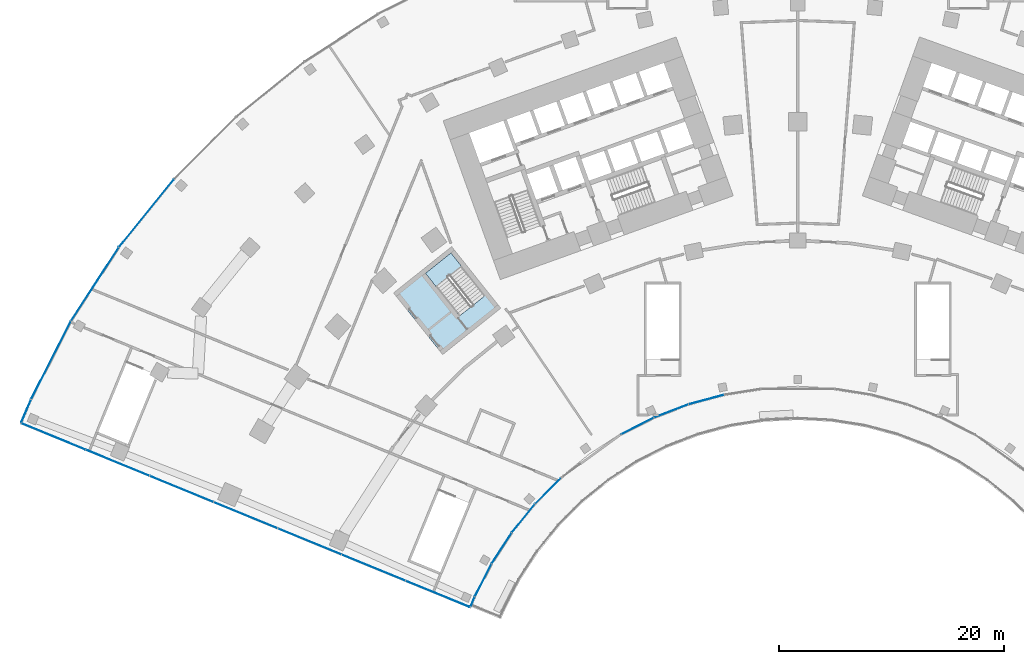
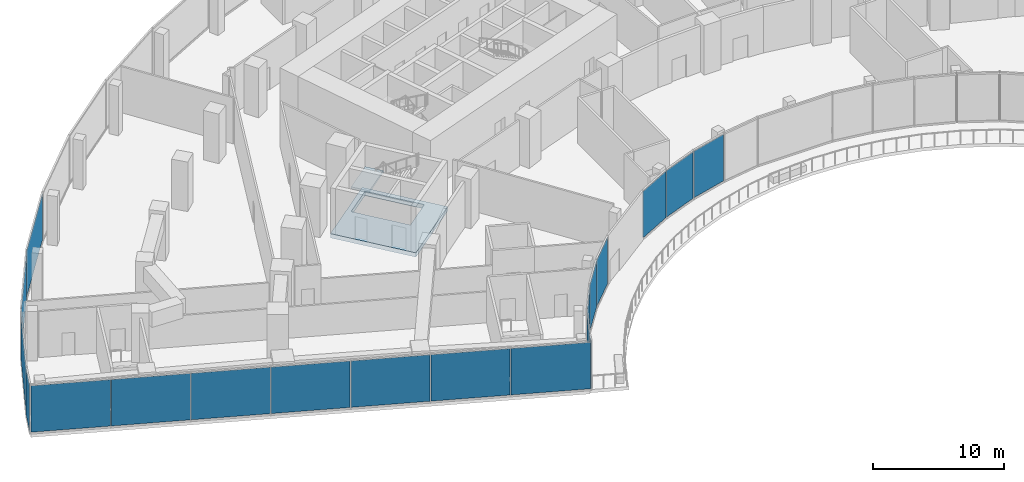
# One storey, part 18 of 33: 19 plates, 2 slabs, 4 elements without a shape of their own.
"""IFC4 building model written with IfcOpenShell, lengths in metres."""

from ifc_helpers import new_model, si_unit, direction, frame, origin, origin_2d, place, context, subcontext, project, spatial, polyline, rectangle, outline, extrude, material, layer, layer_set, type_object, element, aggregate, save


model = new_model("IFC4")

# Units and contexts
model_context = context("Model", 3, precision=1e-05, world=origin(), true_north=direction((0.0, 1.0)))
body_context = subcontext(model_context, "Body", "Model", "MODEL_VIEW")
ifc_project = project(units=[si_unit("LENGTHUNIT", "METRE"), si_unit("AREAUNIT", "SQUARE_METRE"), si_unit("VOLUMEUNIT", "CUBIC_METRE"), si_unit("PLANEANGLEUNIT", "RADIAN"), si_unit("MASSUNIT", "GRAM", prefix="KILO")], contexts=[model_context])

# Site, building, storey
site_placement = place(None, origin())
site = spatial("IfcSite", under=ifc_project, at=site_placement, CompositionType="ELEMENT")
building_placement = place(site_placement, origin())
building = spatial("IfcBuilding", under=site, at=building_placement, Name="Stone Belt Terrace Tower", CompositionType="ELEMENT")
storey_placement = place(building_placement, frame((0.0, 0.0, 25.39990234375)))
storey = spatial("IfcBuildingStorey", under=building, at=storey_placement, Name="L05", CompositionType="ELEMENT", Elevation=25.39990234375)

# Curtain wall, plates
ifc_material_1 = material(Name="Aluminium 6063-T6 anodised frame", Category="aluminium")
ifc_layer_1 = layer(ifc_material_1, 0.14990234375)
ifc_layer_set_1 = layer_set([ifc_layer_1], Name="CW-D podium shopfront")
curtain_wall_type = type_object("IfcCurtainWallType", Name="CW-D podium shopfront", PredefinedType="NOTDEFINED", material=ifc_layer_set_1)
curtain_wall_1_placement = place(storey_placement, origin())
curtain_wall_1 = element("IfcCurtainWall", 1, at=curtain_wall_1_placement, inside=storey, type_object=curtain_wall_type, Name="CW-D concave face L05", PredefinedType="NOTDEFINED")
ifc_material_2 = material(Name="Clear double glazed unit")
ifc_layer_2 = layer(ifc_material_2, 0.031982421875)
ifc_layer_set_2 = layer_set([ifc_layer_2], Name="CW-D glass panel 32")
plate_type = type_object("IfcPlateType", Name="CW-D glass panel 32", PredefinedType="CURTAIN_PANEL", material=ifc_layer_set_2)
plate_1_placement = place(storey_placement, frame((-28.899658203125, 12.333740234375, 0.14013671875), z_axis=(0.0, 0.0, 1.0), x_axis=(0.393033792222, 0.919524028056, 0.0)))
plate_1 = element("IfcPlate", 2, at=plate_1_placement, type_object=plate_type, Name="CW-D panel 1.1", PredefinedType="CURTAIN_PANEL", context=body_context, shape_type="SweptSolid", body=[
    extrude(rectangle(XDim=0.90673828125, YDim=0.031982421875, at=origin_2d()), origin(), (0.0, 0.0, 1.0), 4.320068359375),
])
plate_2_placement = place(storey_placement, frame((-27.962158203125, 14.245849609375, 0.14013671875), z_axis=(0.0, 0.0, 1.0), x_axis=(0.45399049974, 0.891006524188, 0.0)))
plate_2 = element("IfcPlate", 3, at=plate_2_placement, type_object=plate_type, Name="CW-D panel 2.1", PredefinedType="CURTAIN_PANEL", context=body_context, shape_type="SweptSolid", body=[
    extrude(rectangle(XDim=3.224365234375, YDim=0.031982421875, at=origin_2d()), origin(), (0.0, 0.0, 1.0), 4.320068359375),
])
plate_3_placement = place(storey_placement, frame((-26.319091796875, 17.091796875, 0.14013671875), z_axis=(0.0, 0.0, 1.0), x_axis=(0.544639035015, 0.838670567945, 0.0)))
plate_3 = element("IfcPlate", 4, at=plate_3_placement, type_object=plate_type, Name="CW-D panel 3.1", PredefinedType="CURTAIN_PANEL", context=body_context, shape_type="SweptSolid", body=[
    extrude(rectangle(XDim=3.221435546875, YDim=0.031982421875, at=origin_2d()), origin(), (0.0, 0.0, 1.0), 4.320068359375),
])
plate_4_placement = place(storey_placement, frame((-24.38818359375, 19.749267578125, 0.14013671875), z_axis=(0.0, 0.0, 1.0), x_axis=(0.62932039105, 0.777145961457, 0.0)))
plate_4 = element("IfcPlate", 5, at=plate_4_placement, type_object=plate_type, Name="CW-D panel 4.1", PredefinedType="CURTAIN_PANEL", context=body_context, shape_type="SweptSolid", body=[
    extrude(rectangle(XDim=3.221435546875, YDim=0.031982421875, at=origin_2d()), origin(), (0.0, 0.0, 1.0), 4.320068359375),
])
plate_5_placement = place(storey_placement, frame((-22.191650390625, 22.18896484375, 0.14013671875), z_axis=(0.0, 0.0, 1.0), x_axis=(0.707106781187, 0.707106781187, 0.0)))
plate_5 = element("IfcPlate", 6, at=plate_5_placement, type_object=plate_type, Name="CW-D panel 5.1", PredefinedType="CURTAIN_PANEL", context=body_context, shape_type="SweptSolid", body=[
    extrude(rectangle(XDim=3.2177734375, YDim=0.031982421875, at=origin_2d()), origin(), (0.0, 0.0, 1.0), 4.320068359375),
])
plate_6_placement = place(storey_placement, frame((-14.245361328125, 27.96240234375, 0.14013671875), z_axis=(0.0, 0.0, 1.0), x_axis=(0.891006524188, 0.45399049974, 0.0)))
plate_6 = element("IfcPlate", 7, at=plate_6_placement, type_object=plate_type, Name="CW-D panel 7.1", PredefinedType="CURTAIN_PANEL", context=body_context, shape_type="SweptSolid", body=[
    extrude(rectangle(XDim=3.2177734375, YDim=0.031982421875, at=origin_2d()), origin(), (0.0, 0.0, 1.0), 4.320068359375),
])
plate_7_placement = place(storey_placement, frame((-11.246337890625, 29.29736328125, 0.14013671875), z_axis=(0.0, 0.0, 1.0), x_axis=(0.933580426497, 0.358367949545, 0.0)))
plate_7 = element("IfcPlate", 8, at=plate_7_placement, type_object=plate_type, Name="CW-D panel 8.1", PredefinedType="CURTAIN_PANEL", context=body_context, shape_type="SweptSolid", body=[
    extrude(rectangle(XDim=3.221435546875, YDim=0.031982421875, at=origin_2d()), origin(), (0.0, 0.0, 1.0), 4.320068359375),
])
plate_8_placement = place(storey_placement, frame((-8.122314453125, 30.3125, 0.14013671875), z_axis=(0.0, 0.0, 1.0), x_axis=(0.965925826289, 0.258819045103, 0.0)))
plate_8 = element("IfcPlate", 9, at=plate_8_placement, type_object=plate_type, Name="CW-D panel 9.1", PredefinedType="CURTAIN_PANEL", context=body_context, shape_type="SweptSolid", body=[
    extrude(rectangle(XDim=3.221435546875, YDim=0.031982421875, at=origin_2d()), origin(), (0.0, 0.0, 1.0), 4.320068359375),
])
aggregate(curtain_wall_1, [plate_1, plate_2, plate_3, plate_4, plate_5, plate_6, plate_7, plate_8])

curtain_wall_2_placement = place(storey_placement, origin())
curtain_wall_2 = element("IfcCurtainWall", 10, at=curtain_wall_2_placement, inside=storey, type_object=curtain_wall_type, Name="CW-D convex face L05", PredefinedType="NOTDEFINED")
plate_9_placement = place(storey_placement, frame((-57.876220703125, 46.867431640625, 0.14013671875), z_axis=(0.0, 0.0, 1.0), x_axis=(-0.62932039105, -0.777145961457, 0.0)))
plate_9 = element("IfcPlate", 11, at=plate_9_placement, type_object=plate_type, Name="CW-D panel 21.1", PredefinedType="CURTAIN_PANEL", context=body_context, shape_type="SweptSolid", body=[
    extrude(rectangle(XDim=7.738037109375, YDim=0.031982421875, at=origin_2d()), origin(), (0.0, 0.0, 1.0), 4.320068359375),
])
plate_10_placement = place(storey_placement, frame((-62.458251953125, 40.560791015625, 0.14013671875), z_axis=(0.0, 0.0, 1.0), x_axis=(-0.544639035015, -0.838670567945, 0.0)))
plate_10 = element("IfcPlate", 12, at=plate_10_placement, type_object=plate_type, Name="CW-D panel 22.1", PredefinedType="CURTAIN_PANEL", context=body_context, shape_type="SweptSolid", body=[
    extrude(rectangle(XDim=7.738037109375, YDim=0.031982421875, at=origin_2d()), origin(), (0.0, 0.0, 1.0), 4.320068359375),
])
plate_11_placement = place(storey_placement, frame((-66.355712890625, 33.81005859375, 0.14013671875), z_axis=(0.0, 0.0, 1.0), x_axis=(-0.45399049974, -0.891006524188, 0.0)))
plate_11 = element("IfcPlate", 13, at=plate_11_placement, type_object=plate_type, Name="CW-D panel 23.1", PredefinedType="CURTAIN_PANEL", context=body_context, shape_type="SweptSolid", body=[
    extrude(rectangle(XDim=7.738037109375, YDim=0.031982421875, at=origin_2d()), origin(), (0.0, 0.0, 1.0), 4.320068359375),
])
plate_12_placement = place(storey_placement, frame((-68.572021484375, 29.292724609375, 0.14013671875), z_axis=(0.0, 0.0, 1.0), x_axis=(-0.393033792222, -0.919524028056, 0.0)))
plate_12 = element("IfcPlate", 14, at=plate_12_placement, type_object=plate_type, Name="CW-D panel 24.1", PredefinedType="CURTAIN_PANEL", context=body_context, shape_type="SweptSolid", body=[
    extrude(rectangle(XDim=2.19921875, YDim=0.031982421875, at=origin_2d()), origin(), (0.0, 0.0, 1.0), 4.320068359375),
])
aggregate(curtain_wall_2, [plate_9, plate_10, plate_11, plate_12])

curtain_wall_3_placement = place(storey_placement, origin())
curtain_wall_3 = element("IfcCurtainWall", 15, at=curtain_wall_3_placement, inside=storey, type_object=curtain_wall_type, Name="CW-D end face L05", PredefinedType="NOTDEFINED")
plate_13_placement = place(storey_placement, frame((-66.1357421875, 27.025390625, 0.14013671875), z_axis=(0.0, 0.0, 1.0), x_axis=(0.925297074342, -0.379243093825, 0.0)))
plate_13 = element("IfcPlate", 16, at=plate_13_placement, type_object=plate_type, Name="CW-D panel 1.1", PredefinedType="CURTAIN_PANEL", context=body_context, shape_type="SweptSolid", body=[
    extrude(rectangle(XDim=6.114501953125, YDim=0.031982421875, at=origin_2d()), origin(), (0.0, 0.0, 1.0), 4.320068359375),
])
plate_14_placement = place(storey_placement, frame((-60.43701171875, 24.689697265625, 0.14013671875), z_axis=(0.0, 0.0, 1.0), x_axis=(0.925297074342, -0.379243093825, 0.0)))
plate_14 = element("IfcPlate", 17, at=plate_14_placement, type_object=plate_type, Name="CW-D panel 2.1", PredefinedType="CURTAIN_PANEL", context=body_context, shape_type="SweptSolid", body=[
    extrude(rectangle(XDim=6.082763671875, YDim=0.031982421875, at=origin_2d()), origin(), (0.0, 0.0, 1.0), 4.320068359375),
])
plate_15_placement = place(storey_placement, frame((-54.753173828125, 22.360107421875, 0.14013671875), z_axis=(0.0, 0.0, 1.0), x_axis=(0.925297074342, -0.379243093825, 0.0)))
plate_15 = element("IfcPlate", 18, at=plate_15_placement, type_object=plate_type, Name="CW-D panel 3.1", PredefinedType="CURTAIN_PANEL", context=body_context, shape_type="SweptSolid", body=[
    extrude(rectangle(XDim=6.082763671875, YDim=0.031982421875, at=origin_2d()), origin(), (0.0, 0.0, 1.0), 4.320068359375),
])
plate_16_placement = place(storey_placement, frame((-49.069091796875, 20.030517578125, 0.14013671875), z_axis=(0.0, 0.0, 1.0), x_axis=(0.925297074342, -0.379243093825, 0.0)))
plate_16 = element("IfcPlate", 19, at=plate_16_placement, type_object=plate_type, Name="CW-D panel 4.1", PredefinedType="CURTAIN_PANEL", context=body_context, shape_type="SweptSolid", body=[
    extrude(rectangle(XDim=6.082763671875, YDim=0.031982421875, at=origin_2d()), origin(), (0.0, 0.0, 1.0), 4.320068359375),
])
plate_17_placement = place(storey_placement, frame((-43.38525390625, 17.700927734375, 0.14013671875), z_axis=(0.0, 0.0, 1.0), x_axis=(0.925297074342, -0.379243093825, 0.0)))
plate_17 = element("IfcPlate", 20, at=plate_17_placement, type_object=plate_type, Name="CW-D panel 5.1", PredefinedType="CURTAIN_PANEL", context=body_context, shape_type="SweptSolid", body=[
    extrude(rectangle(XDim=6.082763671875, YDim=0.031982421875, at=origin_2d()), origin(), (0.0, 0.0, 1.0), 4.320068359375),
])
plate_18_placement = place(storey_placement, frame((-37.701171875, 15.37109375, 0.14013671875), z_axis=(0.0, 0.0, 1.0), x_axis=(0.925297074342, -0.379243093825, 0.0)))
plate_18 = element("IfcPlate", 21, at=plate_18_placement, type_object=plate_type, Name="CW-D panel 6.1", PredefinedType="CURTAIN_PANEL", context=body_context, shape_type="SweptSolid", body=[
    extrude(rectangle(XDim=6.082763671875, YDim=0.031982421875, at=origin_2d()), origin(), (0.0, 0.0, 1.0), 4.320068359375),
])
plate_19_placement = place(storey_placement, frame((-32.00341796875, 13.035888671875, 0.14013671875), z_axis=(0.0, 0.0, 1.0), x_axis=(0.925297074342, -0.379243093825, 0.0)))
plate_19 = element("IfcPlate", 22, at=plate_19_placement, type_object=plate_type, Name="CW-D panel 7.1", PredefinedType="CURTAIN_PANEL", context=body_context, shape_type="SweptSolid", body=[
    extrude(rectangle(XDim=6.11279296875, YDim=0.031982421875, at=origin_2d()), origin(), (0.0, 0.0, 1.0), 4.320068359375),
])
aggregate(curtain_wall_3, [plate_13, plate_14, plate_15, plate_16, plate_17, plate_18, plate_19])

# Slab
ifc_material_3 = material(Name="Concrete B40", Category="concrete")
ifc_layer_3 = layer(ifc_material_3, 0.39990234375)
ifc_layer_set_3 = layer_set([ifc_layer_3], Name="Core floor slab 400")
slab_type_1 = type_object("IfcSlabType", Name="Core floor slab 400", PredefinedType="FLOOR", material=ifc_layer_set_3)
slab_1_placement = place(storey_placement, frame((0.0, 0.0, -0.39990234375)))
element("IfcSlab", 23, at=slab_1_placement, inside=storey, type_object=slab_type_1, Name="Exit stair ST3A floor L05", PredefinedType="FLOOR", context=body_context, shape_type="SweptSolid", body=[
    extrude(outline(polyline([(-26.39404296875, 38.425048828125), (-30.756103515625, 43.89990234375), (-35.91796875, 39.787109375), (-31.555908203125, 34.31298828125), (-26.39404296875, 38.425048828125)]), holes=[polyline([(-27.798095703125, 39.544921875), (-30.06591796875, 37.738037109375), (-33.087890625, 41.531005859375), (-30.820068359375, 43.337890625), (-27.798095703125, 39.544921875)])]), origin(), (0.0, 0.0, 1.0), 0.39990234375),
])

# Stair, slab
stair_type = type_object("IfcStairType", Name="Exit stair 1500", PredefinedType="HALF_TURN_STAIR", material=ifc_material_3)
stair_placement = place(storey_placement, origin())
stair = element("IfcStair", 24, at=stair_placement, inside=storey, type_object=stair_type, Name="L05 Exit stair 3A", PredefinedType="HALF_TURN_STAIR")
ifc_layer_4 = layer(ifc_material_3, 0.199951171875)
ifc_layer_set_4 = layer_set([ifc_layer_4], Name="Stair landing 200")
slab_type_2 = type_object("IfcSlabType", Name="Stair landing 200", PredefinedType="LANDING", material=ifc_layer_set_4)
slab_2_placement = place(storey_placement, frame((0.0, 0.0, 2.10009765625)))
slab_2 = element("IfcSlab", 25, at=slab_2_placement, type_object=slab_type_2, Name="ST3A landing 1", PredefinedType="LANDING", context=body_context, shape_type="SweptSolid", body=[
    extrude(outline(polyline([(-29.890625, 42.171875), (-30.819580078125, 43.337890625), (-33.087646484375, 41.53076171875), (-32.15869140625, 40.36474609375), (-29.890625, 42.171875)])), origin(), (0.0, 0.0, 1.0), 0.199951171875),
])
aggregate(stair, [slab_2])

save(model, "model.ifc")
